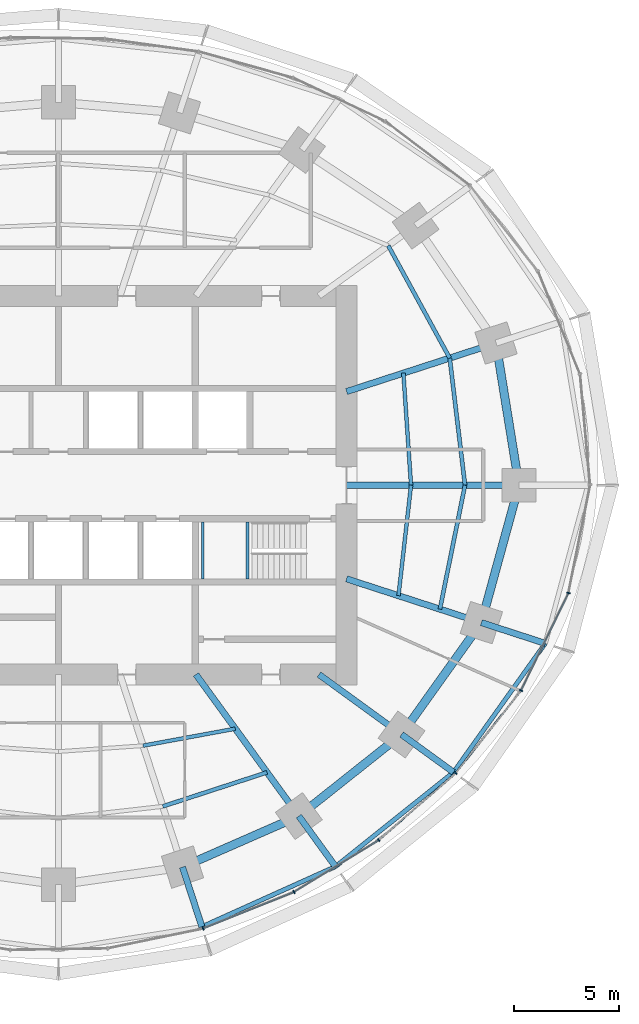
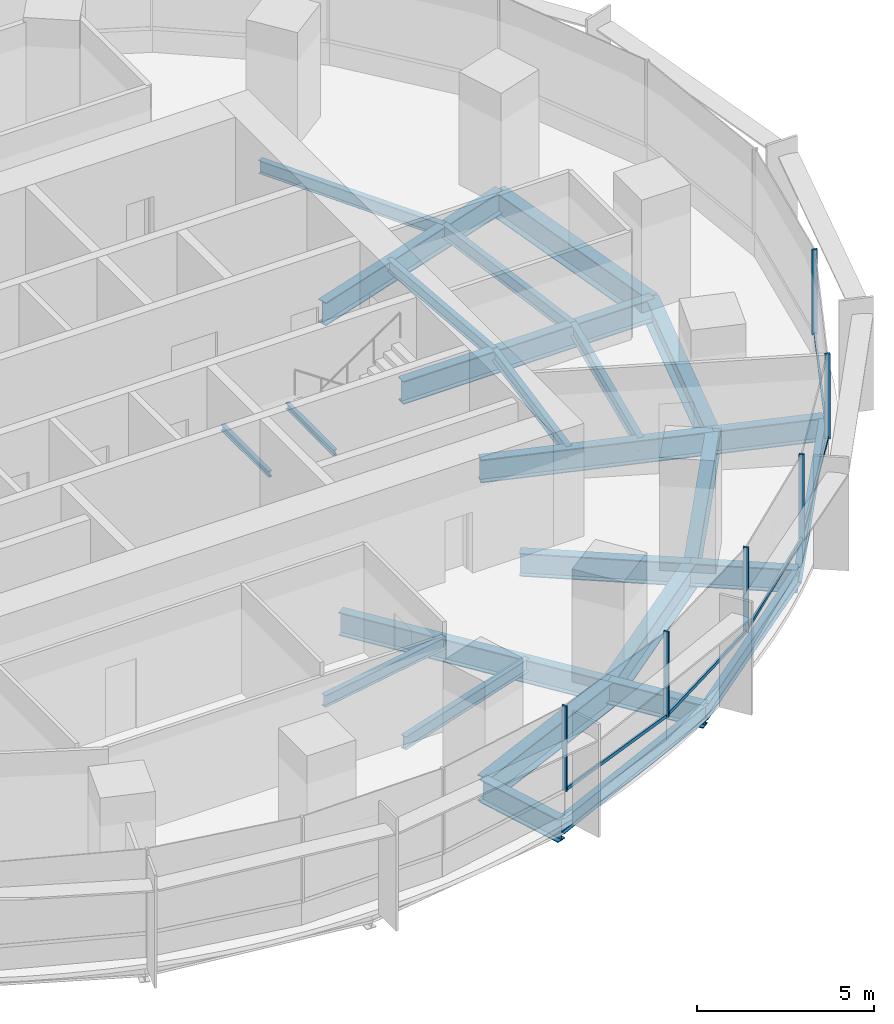
# One storey, part 5 of 14: 26 beams, 11 members, 2 elements without a shape of their own.
"""IFC4 building model written with IfcOpenShell, lengths in metres."""

from ifc_helpers import new_model, si_unit, direction, frame, origin, origin_2d, place, context, subcontext, project, spatial, rectangle, i_section, extrude, material, material_profile, profile_set, type_object, element, aggregate, save


model = new_model("IFC4")

# Units and contexts
model_context = context("Model", 3, precision=1e-05, world=origin(), true_north=direction((0.0, 1.0)))
body_context = subcontext(model_context, "Body", "Model", "MODEL_VIEW")
ifc_project = project(units=[si_unit("LENGTHUNIT", "METRE"), si_unit("AREAUNIT", "SQUARE_METRE"), si_unit("VOLUMEUNIT", "CUBIC_METRE"), si_unit("PLANEANGLEUNIT", "RADIAN"), si_unit("MASSUNIT", "GRAM", prefix="KILO")], contexts=[model_context])

# Site, building, storey
site_placement = place(None, origin())
site = spatial("IfcSite", under=ifc_project, at=site_placement, CompositionType="ELEMENT")
building_placement = place(site_placement, origin())
building = spatial("IfcBuilding", under=site, at=building_placement, Name="Marramba Exchange Tower", CompositionType="ELEMENT")
storey_placement = place(building_placement, frame((0.0, 0.0, 154.800048828125)))
storey = spatial("IfcBuildingStorey", under=building, at=storey_placement, Name="L37", CompositionType="ELEMENT", Elevation=154.800048828125)

# Beams
ifc_material_1 = material(Name="Steel AS/NZS 3679.2 grade 300", Category="steel")
ifc_material_profile_1 = material_profile(ifc_material_1, i_section(OverallWidth=0.300048828125, OverallDepth=0.800048828125, WebThickness=0.013916015625, FlangeThickness=0.031982421875, at=origin_2d()), Name="800WB192")
ifc_profile_set_1 = profile_set([ifc_material_profile_1], Name="Steel AS/NZS 3679.2 grade 300")
beam_type_1 = type_object("IfcBeamType", Name="Cantilever girder 800WB192", PredefinedType="BEAM", material=ifc_profile_set_1)
beam_1_placement = place(storey_placement, frame((5.899658203125, -18.156982421875, -0.56005859375), z_axis=(0.30903246226, -0.951051490336, 0.0), x_axis=(0.951051490336, 0.30903246226, 0.0)))
element("IfcBeam", 1, at=beam_1_placement, inside=storey, type_object=beam_type_1, Name="Cantilever girder L37 TC17", PredefinedType="BEAM", context=body_context, shape_type="SweptSolid", body=[
    extrude(i_section(OverallWidth=0.300048828125, OverallDepth=0.800048828125, WebThickness=0.013916015625, FlangeThickness=0.031982421875, at=origin_2d()), origin(), (0.0, 0.0, 1.0), 2.986328125),
])
beam_2_placement = place(storey_placement, frame((11.430419921875, -15.732666015625, -0.56005859375), z_axis=(0.587794986183, -0.8090099222, 0.0), x_axis=(0.8090099222, 0.587794986183, 0.0)))
element("IfcBeam", 2, at=beam_2_placement, inside=storey, type_object=beam_type_1, Name="Cantilever girder L37 TC18", PredefinedType="BEAM", context=body_context, shape_type="SweptSolid", body=[
    extrude(i_section(OverallWidth=0.300048828125, OverallDepth=0.800048828125, WebThickness=0.013916015625, FlangeThickness=0.031982421875, at=origin_2d()), origin(), (0.0, 0.0, 1.0), 2.9677734375),
])
beam_3_placement = place(storey_placement, frame((16.3154296875, -11.853759765625, -0.56005859375), z_axis=(0.809026231081, -0.587772538847, 0.0), x_axis=(0.587772538847, 0.809026231081, 0.0)))
element("IfcBeam", 3, at=beam_3_placement, inside=storey, type_object=beam_type_1, Name="Cantilever girder L37 TC19", PredefinedType="BEAM", context=body_context, shape_type="SweptSolid", body=[
    extrude(i_section(OverallWidth=0.300048828125, OverallDepth=0.800048828125, WebThickness=0.013916015625, FlangeThickness=0.031982421875, at=origin_2d()), origin(), (0.0, 0.0, 1.0), 3.055419921875),
])
beam_4_placement = place(storey_placement, frame((20.109375, -6.533935546875, -0.56005859375), z_axis=(0.951054839063, -0.309022156318, 0.0), x_axis=(0.309022156318, 0.951054839063, 0.0)))
element("IfcBeam", 4, at=beam_4_placement, inside=storey, type_object=beam_type_1, Name="Cantilever girder L37 TC20", PredefinedType="BEAM", context=body_context, shape_type="SweptSolid", body=[
    extrude(i_section(OverallWidth=0.300048828125, OverallDepth=0.800048828125, WebThickness=0.013916015625, FlangeThickness=0.031982421875, at=origin_2d()), origin(), (0.0, 0.0, 1.0), 3.19580078125),
])
ifc_material_2 = material(Name="Steel AS/NZS 3679.1 grade 300", Category="steel")
ifc_material_profile_2 = material_profile(ifc_material_2, i_section(OverallWidth=0.177978515625, OverallDepth=0.406005859375, WebThickness=0.0078125, FlangeThickness=0.0126953125, FilletRadius=0.011474609375, at=origin_2d()), Name="410UB59.7")
ifc_profile_set_2 = profile_set([ifc_material_profile_2], Name="Steel AS/NZS 3679.1 grade 300")
beam_type_2 = type_object("IfcBeamType", Name="Floor joist 410UB59.7", PredefinedType="JOIST", material=ifc_profile_set_2)
beam_5_placement = place(storey_placement, frame((16.7666015625, 0.0, -0.363037109375), z_axis=(-0.068096259546, 0.99767875563, 0.0), x_axis=(-0.99767875563, -0.068096259546, 0.0)))
element("IfcBeam", 5, at=beam_5_placement, inside=storey, type_object=beam_type_2, Name="Joist L37 bay 01 row 1", PredefinedType="JOIST", context=body_context, shape_type="SweptSolid", body=[
    extrude(i_section(OverallWidth=0.177978515625, OverallDepth=0.406005859375, WebThickness=0.0078125, FlangeThickness=0.0126953125, FilletRadius=0.011474609375, at=origin_2d()), origin(), (0.0, 0.0, 1.0), 5.342041015625),
])
beam_6_placement = place(storey_placement, frame((4.0244140625, -12.3857421875, -0.363037109375), z_axis=(0.983455754421, 0.181148500119, 0.0), x_axis=(-0.181148500119, 0.983455754421, 0.0)))
element("IfcBeam", 6, at=beam_6_placement, inside=storey, type_object=beam_type_2, Name="Joist L37 bay 17 row 1", PredefinedType="JOIST", context=body_context, shape_type="SweptSolid", body=[
    extrude(i_section(OverallWidth=0.177978515625, OverallDepth=0.406005859375, WebThickness=0.0078125, FlangeThickness=0.0126953125, FilletRadius=0.011474609375, at=origin_2d()), origin(), (0.0, 0.0, 1.0), 4.4609375),
])
beam_7_placement = place(storey_placement, frame((16.169677734375, -5.25390625, -0.363037109375), z_axis=(0.112888968594, 0.993607609054, 0.0), x_axis=(-0.993607609054, 0.112888968594, 0.0)))
element("IfcBeam", 7, at=beam_7_placement, inside=storey, type_object=beam_type_2, Name="Joist L37 bay 20 row 1", PredefinedType="JOIST", context=body_context, shape_type="SweptSolid", body=[
    extrude(i_section(OverallWidth=0.177978515625, OverallDepth=0.406005859375, WebThickness=0.0078125, FlangeThickness=0.0126953125, FilletRadius=0.011474609375, at=origin_2d()), origin(), (0.0, 0.0, 1.0), 5.28759765625),
])
ifc_material_profile_3 = material_profile(ifc_material_2, i_section(OverallWidth=0.18994140625, OverallDepth=0.4541015625, WebThickness=0.008544921875, FlangeThickness=0.0126953125, FilletRadius=0.011474609375, at=origin_2d()), Name="460UB67.1")
ifc_profile_set_3 = profile_set([ifc_material_profile_3], Name="Steel AS/NZS 3679.1 grade 300")
beam_type_3 = type_object("IfcBeamType", Name="Floor joist 460UB67.1", PredefinedType="JOIST", material=ifc_profile_set_3)
beam_8_placement = place(storey_placement, frame((19.333251953125, 0.0, -0.386962890625), z_axis=(-0.119523078538, 0.992831422597, 0.0), x_axis=(-0.992831422597, -0.119523078538, 0.0)))
element("IfcBeam", 8, at=beam_8_placement, inside=storey, type_object=beam_type_3, Name="Joist L37 bay 01 row 2", PredefinedType="JOIST", context=body_context, shape_type="SweptSolid", body=[
    extrude(i_section(OverallWidth=0.18994140625, OverallDepth=0.4541015625, WebThickness=0.008544921875, FlangeThickness=0.0126953125, FilletRadius=0.011474609375, at=origin_2d()), origin(), (0.0, 0.0, 1.0), 6.089111328125),
])
beam_9_placement = place(storey_placement, frame((18.60546875, 6.04541015625, -0.386962890625), z_axis=(-0.479584443791, 0.877495732909, 0.0), x_axis=(-0.877495732909, -0.479584443791, 0.0)))
element("IfcBeam", 9, at=beam_9_placement, inside=storey, type_object=beam_type_3, Name="Joist L37 bay 02 row 2", PredefinedType="JOIST", context=body_context, shape_type="SweptSolid", body=[
    extrude(i_section(OverallWidth=0.18994140625, OverallDepth=0.4541015625, WebThickness=0.008544921875, FlangeThickness=0.0126953125, FilletRadius=0.011474609375, at=origin_2d()), origin(), (0.0, 0.0, 1.0), 6.094970703125),
])
beam_10_placement = place(storey_placement, frame((4.9619140625, -15.271484375, -0.386962890625), z_axis=(0.950764024931, 0.309915744834, 0.0), x_axis=(-0.309915744834, 0.950764024931, 0.0)))
element("IfcBeam", 10, at=beam_10_placement, inside=storey, type_object=beam_type_3, Name="Joist L37 bay 17 row 2", PredefinedType="JOIST", context=body_context, shape_type="SweptSolid", body=[
    extrude(i_section(OverallWidth=0.18994140625, OverallDepth=0.4541015625, WebThickness=0.008544921875, FlangeThickness=0.0126953125, FilletRadius=0.011474609375, at=origin_2d()), origin(), (0.0, 0.0, 1.0), 5.2158203125),
])
beam_11_placement = place(storey_placement, frame((18.1396484375, -5.893798828125, -0.386962890625), z_axis=(0.198489047047, 0.980103105904, 0.0), x_axis=(-0.980103105904, 0.198489047047, 0.0)))
element("IfcBeam", 11, at=beam_11_placement, inside=storey, type_object=beam_type_3, Name="Joist L37 bay 20 row 2", PredefinedType="JOIST", context=body_context, shape_type="SweptSolid", body=[
    extrude(i_section(OverallWidth=0.18994140625, OverallDepth=0.4541015625, WebThickness=0.008544921875, FlangeThickness=0.0126953125, FilletRadius=0.011474609375, at=origin_2d()), origin(), (0.0, 0.0, 1.0), 6.013427734375),
])

# Curtain wall, member
ifc_material_3 = material(Name="Aluminium framing, bronze anodised", Category="aluminium")
curtain_wall_type = type_object("IfcCurtainWallType", Name="Office ribbon curtain wall", PredefinedType="USERDEFINED", material=ifc_material_3)
curtain_wall_1_placement = place(storey_placement, origin())
curtain_wall_1 = element("IfcCurtainWall", 12, at=curtain_wall_1_placement, inside=storey, type_object=curtain_wall_type, Name="Curtain wall CW4 L37 F21-F25", ObjectType="RIBBON CURTAIN WALL", PredefinedType="USERDEFINED")
ifc_material_4 = material(Name="Aluminium mullion, bronze anodised", Category="aluminium")
ifc_material_profile_4 = material_profile(ifc_material_4, rectangle(XDim=0.159912109375, YDim=0.06005859375, at=origin_2d()), Name="CW4 mullion 60x160")
ifc_profile_set_4 = profile_set([ifc_material_profile_4], Name="Aluminium mullion, bronze anodised")
member_type_1 = type_object("IfcMemberType", Name="Office ribbon curtain wall mullion", PredefinedType="MULLION", material=ifc_profile_set_4)
member_1_placement = place(storey_placement, frame((6.881103515625, -21.0810546875, 0.800048828125), z_axis=(0.0, 0.0, 1.0), x_axis=(-0.372209067082, 0.928148916059, 0.0)))
member_1 = element("IfcMember", 13, at=member_1_placement, type_object=member_type_1, Name="CW4 mullion 1", PredefinedType="MULLION", context=body_context, shape_type="SweptSolid", body=[
    extrude(rectangle(XDim=0.159912109375, YDim=0.06005859375, at=origin_2d()), origin(), (0.0, 0.0, 1.0), 2.93994140625),
])

# Curtain wall, members
curtain_wall_2_placement = place(storey_placement, origin())
curtain_wall_2 = element("IfcCurtainWall", 14, at=curtain_wall_2_placement, inside=storey, type_object=curtain_wall_type, Name="Curtain wall CW4 L37 F26-F30", ObjectType="RIBBON CURTAIN WALL", PredefinedType="USERDEFINED")
member_2_placement = place(storey_placement, frame((11.2021484375, -19.3427734375, 0.800048828125), z_axis=(0.0, 0.0, 1.0), x_axis=(-0.521732535664, 0.853109114492, 0.0)))
member_2 = element("IfcMember", 15, at=member_2_placement, type_object=member_type_1, Name="CW4 mullion 1", PredefinedType="MULLION", context=body_context, shape_type="SweptSolid", body=[
    extrude(rectangle(XDim=0.159912109375, YDim=0.06005859375, at=origin_2d()), origin(), (0.0, 0.0, 1.0), 2.93994140625),
])
member_3_placement = place(storey_placement, frame((15.232177734375, -16.872314453125, 0.800048828125), z_axis=(0.0, 0.0, 1.0), x_axis=(-0.656431647438, 0.754385506384, 0.0)))
member_3 = element("IfcMember", 16, at=member_3_placement, type_object=member_type_1, Name="CW4 mullion 1", PredefinedType="MULLION", context=body_context, shape_type="SweptSolid", body=[
    extrude(rectangle(XDim=0.159912109375, YDim=0.06005859375, at=origin_2d()), origin(), (0.0, 0.0, 1.0), 2.93994140625),
])
member_4_placement = place(storey_placement, frame((18.886962890625, -13.68505859375, 0.800048828125), z_axis=(0.0, 0.0, 1.0), x_axis=(-0.783170139469, 0.621807472329, 0.0)))
member_4 = element("IfcMember", 17, at=member_4_placement, type_object=member_type_1, Name="CW4 mullion 1", PredefinedType="MULLION", context=body_context, shape_type="SweptSolid", body=[
    extrude(rectangle(XDim=0.159912109375, YDim=0.06005859375, at=origin_2d()), origin(), (0.0, 0.0, 1.0), 2.93994140625),
])
member_5_placement = place(storey_placement, frame((21.994873046875, -9.760009765625, 0.800048828125), z_axis=(0.0, 0.0, 1.0), x_axis=(-0.89844486976, 0.439086342308, 0.0)))
member_5 = element("IfcMember", 18, at=member_5_placement, type_object=member_type_1, Name="CW4 mullion 1", PredefinedType="MULLION", context=body_context, shape_type="SweptSolid", body=[
    extrude(rectangle(XDim=0.159912109375, YDim=0.06005859375, at=origin_2d()), origin(), (0.0, 0.0, 1.0), 2.93994140625),
])
member_6_placement = place(storey_placement, frame((24.252197265625, -5.124267578125, 0.800048828125), z_axis=(0.0, 0.0, 1.0), x_axis=(-0.980393739376, 0.197048511267, 0.0)))
member_6 = element("IfcMember", 19, at=member_6_placement, type_object=member_type_1, Name="CW4 mullion 1", PredefinedType="MULLION", context=body_context, shape_type="SweptSolid", body=[
    extrude(rectangle(XDim=0.159912109375, YDim=0.06005859375, at=origin_2d()), origin(), (0.0, 0.0, 1.0), 2.93994140625),
])

# Member
ifc_material_5 = material(Name="Aluminium transom, bronze anodised", Category="aluminium")
ifc_material_profile_5 = material_profile(ifc_material_5, rectangle(XDim=0.06005859375, YDim=0.1201171875, at=origin_2d()), Name="CW4 transom 60x120")
ifc_profile_set_5 = profile_set([ifc_material_profile_5], Name="Aluminium transom, bronze anodised")
member_type_2 = type_object("IfcMemberType", Name="Office ribbon curtain wall transom", PredefinedType="USERDEFINED", material=ifc_profile_set_5)
member_7_placement = place(storey_placement, frame((6.908935546875, -21.06982421875, 0.829833984375), z_axis=(0.928146753748, 0.372214459026, 0.0), x_axis=(-0.372214459026, 0.928146753748, 0.0)))
member_7 = element("IfcMember", 20, at=member_7_placement, type_object=member_type_2, Name="CW4 sill transom", ObjectType="TRANSOM", PredefinedType="USERDEFINED", context=body_context, shape_type="SweptSolid", body=[
    extrude(rectangle(XDim=0.06005859375, YDim=0.1201171875, at=origin_2d()), origin(), (0.0, 0.0, 1.0), 4.597900390625),
])

aggregate(curtain_wall_1, [member_1, member_7])

member_8_placement = place(storey_placement, frame((11.227783203125, -19.3271484375, 0.829833984375), z_axis=(0.853124051379, 0.52170811088, 0.0), x_axis=(-0.52170811088, 0.853124051379, 0.0)))
member_8 = element("IfcMember", 21, at=member_8_placement, type_object=member_type_2, Name="CW4 sill transom", ObjectType="TRANSOM", PredefinedType="USERDEFINED", context=body_context, shape_type="SweptSolid", body=[
    extrude(rectangle(XDim=0.06005859375, YDim=0.1201171875, at=origin_2d()), origin(), (0.0, 0.0, 1.0), 4.66748046875),
])

member_9_placement = place(storey_placement, frame((15.2548828125, -16.8525390625, 0.829833984375), z_axis=(0.754392594189, 0.65642350189, 0.0), x_axis=(-0.65642350189, 0.754392594189, 0.0)))
member_9 = element("IfcMember", 22, at=member_9_placement, type_object=member_type_2, Name="CW4 sill transom", ObjectType="TRANSOM", PredefinedType="USERDEFINED", context=body_context, shape_type="SweptSolid", body=[
    extrude(rectangle(XDim=0.06005859375, YDim=0.1201171875, at=origin_2d()), origin(), (0.0, 0.0, 1.0), 4.78955078125),
])

member_10_placement = place(storey_placement, frame((18.905517578125, -13.66162109375, 0.829833984375), z_axis=(0.621777997945, 0.783193540111, 0.0), x_axis=(-0.783193540111, 0.621777997945, 0.0)))
member_10 = element("IfcMember", 23, at=member_10_placement, type_object=member_type_2, Name="CW4 sill transom", ObjectType="TRANSOM", PredefinedType="USERDEFINED", context=body_context, shape_type="SweptSolid", body=[
    extrude(rectangle(XDim=0.06005859375, YDim=0.1201171875, at=origin_2d()), origin(), (0.0, 0.0, 1.0), 4.947265625),
])

member_11_placement = place(storey_placement, frame((22.008056640625, -9.73291015625, 0.829833984375), z_axis=(0.439090714557, 0.898442732949, 0.0), x_axis=(-0.898442732949, 0.439090714557, 0.0)))
member_11 = element("IfcMember", 24, at=member_11_placement, type_object=member_type_2, Name="CW4 sill transom", ObjectType="TRANSOM", PredefinedType="USERDEFINED", context=body_context, shape_type="SweptSolid", body=[
    extrude(rectangle(XDim=0.06005859375, YDim=0.1201171875, at=origin_2d()), origin(), (0.0, 0.0, 1.0), 5.096923828125),
])

aggregate(curtain_wall_2, [member_2, member_8, member_3, member_9, member_4, member_10, member_5, member_11, member_6])

# Beams
ifc_material_profile_6 = material_profile(ifc_material_1, i_section(OverallWidth=0.300048828125, OverallDepth=0.800048828125, WebThickness=0.013916015625, FlangeThickness=0.031982421875, at=origin_2d()), Name="800WB192")
ifc_profile_set_6 = profile_set([ifc_material_profile_6], Name="Steel AS/NZS 3679.2 grade 300")
beam_type_4 = type_object("IfcBeamType", Name="Radial girder 800WB192", PredefinedType="BEAM", material=ifc_profile_set_6)
beam_12_placement = place(storey_placement, frame((13.699951171875, 0.0, -0.56005859375), z_axis=(1.0, 0.0, 0.0), x_axis=(0.0, 1.0, 0.0)))
element("IfcBeam", 25, at=beam_12_placement, inside=storey, type_object=beam_type_4, Name="Radial girder L37 TC01", PredefinedType="BEAM", context=body_context, shape_type="SweptSolid", body=[
    extrude(i_section(OverallWidth=0.300048828125, OverallDepth=0.800048828125, WebThickness=0.013916015625, FlangeThickness=0.031982421875, at=origin_2d()), origin(), (0.0, 0.0, 1.0), 8.199951171875),
])
beam_13_placement = place(storey_placement, frame((13.699951171875, 4.451416015625, -0.56005859375), z_axis=(0.951059990189, 0.309006302624, 0.0), x_axis=(-0.309006302624, 0.951059990189, 0.0)))
element("IfcBeam", 26, at=beam_13_placement, inside=storey, type_object=beam_type_4, Name="Radial girder L37 TC02", PredefinedType="BEAM", context=body_context, shape_type="SweptSolid", body=[
    extrude(i_section(OverallWidth=0.300048828125, OverallDepth=0.800048828125, WebThickness=0.013916015625, FlangeThickness=0.031982421875, at=origin_2d()), origin(), (0.0, 0.0, 1.0), 7.47412109375),
])
beam_14_placement = place(storey_placement, frame((6.538818359375, -9.0, -0.56005859375), z_axis=(0.587787877172, -0.809015087282, 0.0), x_axis=(0.809015087282, 0.587787877172, 0.0)))
element("IfcBeam", 27, at=beam_14_placement, inside=storey, type_object=beam_type_4, Name="Radial girder L37 TC18", PredefinedType="BEAM", context=body_context, shape_type="SweptSolid", body=[
    extrude(i_section(OverallWidth=0.300048828125, OverallDepth=0.800048828125, WebThickness=0.013916015625, FlangeThickness=0.031982421875, at=origin_2d()), origin(), (0.0, 0.0, 1.0), 8.322021484375),
])
beam_15_placement = place(storey_placement, frame((12.387451171875, -9.0, -0.56005859375), z_axis=(0.809025189606, -0.58777397236, 0.0), x_axis=(0.58777397236, 0.809025189606, 0.0)))
element("IfcBeam", 28, at=beam_15_placement, inside=storey, type_object=beam_type_4, Name="Radial girder L37 TC19", PredefinedType="BEAM", context=body_context, shape_type="SweptSolid", body=[
    extrude(i_section(OverallWidth=0.300048828125, OverallDepth=0.800048828125, WebThickness=0.013916015625, FlangeThickness=0.031982421875, at=origin_2d()), origin(), (0.0, 0.0, 1.0), 4.855224609375),
])
beam_16_placement = place(storey_placement, frame((13.699951171875, -4.451416015625, -0.56005859375), z_axis=(0.951057759669, -0.309013167637, 0.0), x_axis=(0.309013167637, 0.951057759669, 0.0)))
element("IfcBeam", 29, at=beam_16_placement, inside=storey, type_object=beam_type_4, Name="Radial girder L37 TC20", PredefinedType="BEAM", context=body_context, shape_type="SweptSolid", body=[
    extrude(i_section(OverallWidth=0.300048828125, OverallDepth=0.800048828125, WebThickness=0.013916015625, FlangeThickness=0.031982421875, at=origin_2d()), origin(), (0.0, 0.0, 1.0), 6.7392578125),
])
ifc_material_profile_7 = material_profile(ifc_material_1, i_section(OverallWidth=0.39990234375, OverallDepth=0.89990234375, WebThickness=0.01611328125, FlangeThickness=0.031982421875, at=origin_2d()), Name="900WB282")
ifc_profile_set_7 = profile_set([ifc_material_profile_7], Name="Steel AS/NZS 3679.2 grade 300")
beam_type_5 = type_object("IfcBeamType", Name="Ring beam 900WB282", PredefinedType="SPANDREL", material=ifc_profile_set_7)
beam_17_placement = place(storey_placement, frame((21.89990234375, 0.0, -0.610107421875), z_axis=(-0.159384865399, 0.987216523708, 0.0), x_axis=(-0.987216523708, -0.159384865399, 0.0)))
element("IfcBeam", 30, at=beam_17_placement, inside=storey, type_object=beam_type_5, Name="Ring beam L37 TC01-TC02", PredefinedType="SPANDREL", context=body_context, shape_type="SweptSolid", body=[
    extrude(i_section(OverallWidth=0.39990234375, OverallDepth=0.89990234375, WebThickness=0.01611328125, FlangeThickness=0.031982421875, at=origin_2d()), origin(), (0.0, 0.0, 1.0), 6.8486328125),
])
beam_18_placement = place(storey_placement, frame((5.899658203125, -18.156982421875, -0.610107421875), z_axis=(0.915876892158, 0.4014592363, 0.0), x_axis=(-0.4014592363, 0.915876892158, 0.0)))
element("IfcBeam", 31, at=beam_18_placement, inside=storey, type_object=beam_type_5, Name="Ring beam L37 TC17-TC18", PredefinedType="SPANDREL", context=body_context, shape_type="SweptSolid", body=[
    extrude(i_section(OverallWidth=0.39990234375, OverallDepth=0.89990234375, WebThickness=0.01611328125, FlangeThickness=0.031982421875, at=origin_2d()), origin(), (0.0, 0.0, 1.0), 6.038818359375),
])
beam_19_placement = place(storey_placement, frame((11.430419921875, -15.732666015625, -0.610107421875), z_axis=(0.783139438128, 0.621846138887, 0.0), x_axis=(-0.621846138887, 0.783139438128, 0.0)))
element("IfcBeam", 32, at=beam_19_placement, inside=storey, type_object=beam_type_5, Name="Ring beam L37 TC18-TC19", PredefinedType="SPANDREL", context=body_context, shape_type="SweptSolid", body=[
    extrude(i_section(OverallWidth=0.39990234375, OverallDepth=0.89990234375, WebThickness=0.01611328125, FlangeThickness=0.031982421875, at=origin_2d()), origin(), (0.0, 0.0, 1.0), 6.23779296875),
])
beam_20_placement = place(storey_placement, frame((16.3154296875, -11.853759765625, -0.610107421875), z_axis=(0.580637181111, 0.814162430914, 0.0), x_axis=(-0.814162430914, 0.580637181111, 0.0)))
element("IfcBeam", 33, at=beam_20_placement, inside=storey, type_object=beam_type_5, Name="Ring beam L37 TC19-TC20", PredefinedType="SPANDREL", context=body_context, shape_type="SweptSolid", body=[
    extrude(i_section(OverallWidth=0.39990234375, OverallDepth=0.89990234375, WebThickness=0.01611328125, FlangeThickness=0.031982421875, at=origin_2d()), origin(), (0.0, 0.0, 1.0), 6.5341796875),
])
beam_21_placement = place(storey_placement, frame((20.109375, -6.533935546875, -0.610107421875), z_axis=(0.264291166956, 0.964442937176, 0.0), x_axis=(-0.964442937176, 0.264291166956, 0.0)))
element("IfcBeam", 34, at=beam_21_placement, inside=storey, type_object=beam_type_5, Name="Ring beam L37 TC20-TC01", PredefinedType="SPANDREL", context=body_context, shape_type="SweptSolid", body=[
    extrude(i_section(OverallWidth=0.39990234375, OverallDepth=0.89990234375, WebThickness=0.01611328125, FlangeThickness=0.031982421875, at=origin_2d()), origin(), (0.0, 0.0, 1.0), 6.77490234375),
])
ifc_material_profile_8 = material_profile(ifc_material_2, i_section(OverallWidth=0.208984375, OverallDepth=0.528076171875, WebThickness=0.009521484375, FlangeThickness=0.01318359375, FilletRadius=0.013916015625, at=origin_2d()), Name="530UB82.0")
ifc_profile_set_8 = profile_set([ifc_material_profile_8], Name="Steel AS/NZS 3679.1 grade 300")
beam_type_6 = type_object("IfcBeamType", Name="Slab edge beam 530UB82.0", PredefinedType="SPANDREL", material=ifc_profile_set_8)
beam_22_placement = place(storey_placement, frame((6.822509765625, -20.9970703125, -0.424072265625), z_axis=(0.911653171624, 0.410960453898, 0.0), x_axis=(-0.410960453898, 0.911653171624, 0.0)))
element("IfcBeam", 35, at=beam_22_placement, inside=storey, type_object=beam_type_6, Name="Slab edge beam L37 TC17-TC18", PredefinedType="SPANDREL", context=body_context, shape_type="SweptSolid", body=[
    extrude(i_section(OverallWidth=0.208984375, OverallDepth=0.528076171875, WebThickness=0.009521484375, FlangeThickness=0.01318359375, FilletRadius=0.013916015625, at=origin_2d()), origin(), (0.0, 0.0, 1.0), 6.9677734375),
])
beam_23_placement = place(storey_placement, frame((13.1748046875, -18.133544921875, -0.424072265625), z_axis=(0.781286404457, 0.624172695822, 0.0), x_axis=(-0.624172695822, 0.781286404457, 0.0)))
element("IfcBeam", 36, at=beam_23_placement, inside=storey, type_object=beam_type_6, Name="Slab edge beam L37 TC18-TC19", PredefinedType="SPANDREL", context=body_context, shape_type="SweptSolid", body=[
    extrude(i_section(OverallWidth=0.208984375, OverallDepth=0.528076171875, WebThickness=0.009521484375, FlangeThickness=0.01318359375, FilletRadius=0.013916015625, at=origin_2d()), origin(), (0.0, 0.0, 1.0), 7.183837890625),
])
beam_24_placement = place(storey_placement, frame((18.787353515625, -13.649658203125, -0.424072265625), z_axis=(0.579834168245, 0.814734519543, 0.0), x_axis=(-0.814734519543, 0.579834168245, 0.0)))
element("IfcBeam", 37, at=beam_24_placement, inside=storey, type_object=beam_type_6, Name="Slab edge beam L37 TC19-TC20", PredefinedType="SPANDREL", context=body_context, shape_type="SweptSolid", body=[
    extrude(i_section(OverallWidth=0.208984375, OverallDepth=0.528076171875, WebThickness=0.009521484375, FlangeThickness=0.01318359375, FilletRadius=0.013916015625, at=origin_2d()), origin(), (0.0, 0.0, 1.0), 7.521728515625),
])
ifc_material_profile_9 = material_profile(ifc_material_2, i_section(OverallWidth=0.133056640625, OverallDepth=0.202880859375, WebThickness=0.005859375, FlangeThickness=0.0078125, FilletRadius=0.0087890625, at=origin_2d()), Name="200UB25.4")
ifc_profile_set_9 = profile_set([ifc_material_profile_9], Name="Steel AS/NZS 3679.1 grade 300")
beam_type_7 = type_object("IfcBeamType", Name="Stair landing beam 200UB25.4", PredefinedType="BEAM", material=ifc_profile_set_9)
for number, where, z_axis, x_axis, name in (
    (38, (6.866455078125, -4.449951171875, 1.6484375), (0.0, 1.0, 0.0), (-1.0, 0.0, 0.0), "Stair landing beam SLB1 ST2 L37 1"),
    (39, (8.9833984375, -4.449951171875, 1.6484375), (0.0, 1.0, 0.0), (-1.0, 0.0, 0.0), "Stair landing beam SLB1 ST2 L37 2"),
):
    element("IfcBeam", number, at=place(storey_placement, frame(where, z_axis=z_axis, x_axis=x_axis)), inside=storey, type_object=beam_type_7, Name=name, PredefinedType="BEAM", context=body_context, shape_type="SweptSolid", body=[
        extrude(i_section(OverallWidth=0.133056640625, OverallDepth=0.202880859375, WebThickness=0.005859375, FlangeThickness=0.0078125, FilletRadius=0.0087890625, at=origin_2d()), origin(), (0.0, 0.0, 1.0), 2.699951171875),
    ])

save(model, "model.ifc")
